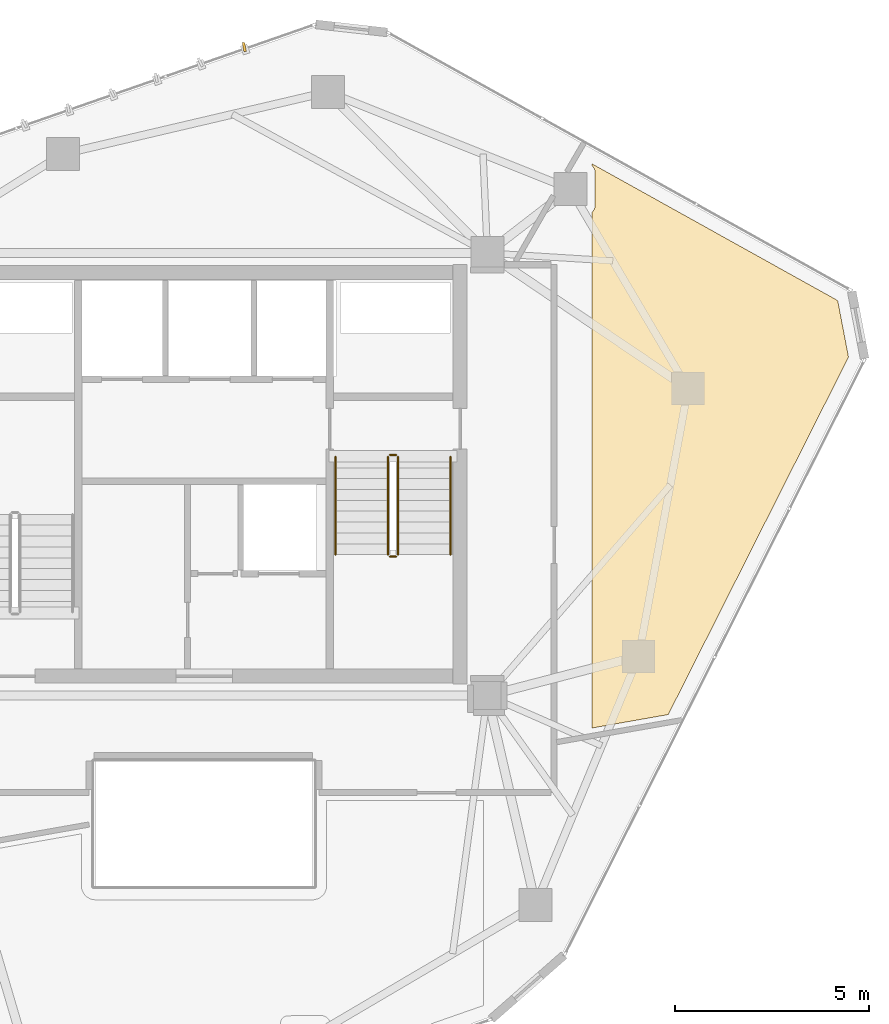
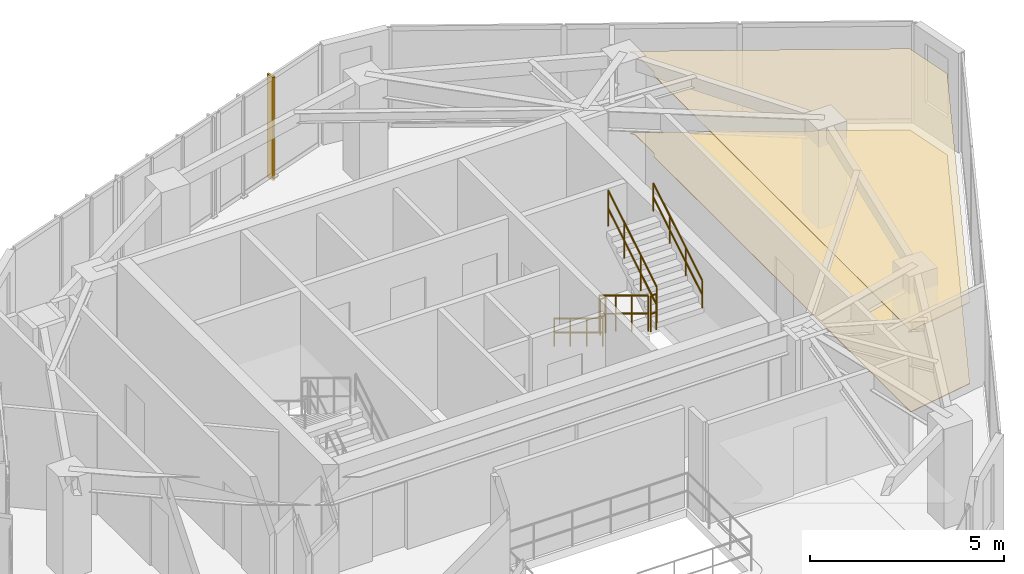
# One storey, part 20 of 20: 6 railings, 2 coverings, 1 shading device.
"""IFC4 building model written with IfcOpenShell, lengths in metres."""

import ifcopenshell
import ifcopenshell.guid

model = None  # the IFC model being written
_history = None  # IfcOwnerHistory: only IFC2X3 demands one
_inside = {}  # id of a spatial element -> (the spatial element, [elements in it])
_under = {}  # id of a project, library or spatial element -> (it, [spatial elements below it])
_declared = {}  # id of a project -> (the project, [libraries it declares])
_typed = {}  # id of a type object -> (the type object, [elements of that type])
_made_of = {}  # id of a material, layer set ... -> (it, [elements and type objects made of it])


def new_model(schema):
    """Start an empty IFC model of exactly this schema.

    Asked for "IFC4X3", IfcOpenShell would pick the latest addendum, in which some entities
    have other attributes; the version numbers below select the first issue.
    IFC2X3 requires an IfcOwnerHistory on every rooted entity: one is made here for all.
    """
    global model, _history
    if schema == "IFC4X3":
        model = ifcopenshell.file(schema_version=(4, 3, 0, 0))
    else:
        model = ifcopenshell.file(schema=schema)
    _inside.clear()
    _under.clear()
    _declared.clear()
    _typed.clear()
    _made_of.clear()
    _history = None
    if model.schema == "IFC2X3":
        org = make("IfcOrganization", Name="unknown")
        user = make(
            "IfcPersonAndOrganization",
            ThePerson=make("IfcPerson", FamilyName="unknown"),
            TheOrganization=org,
        )
        app = make(
            "IfcApplication",
            ApplicationDeveloper=org,
            Version="unknown",
            ApplicationFullName="unknown",
            ApplicationIdentifier="unknown",
        )
        _history = make(
            "IfcOwnerHistory",
            OwningUser=user,
            OwningApplication=app,
            ChangeAction="ADDED",
            CreationDate=0,
        )
    return model


def make(cls, **values):
    """One entity of the class cls with the attributes given. An attribute that is None is left unset."""
    return model.create_entity(
        cls, **{name: value for name, value in values.items() if value is not None}
    )


def rooted(cls, **values):
    """An entity with a GlobalId (a new one), such as an element, a storey or a relation."""
    return make(cls, GlobalId=ifcopenshell.guid.new(), OwnerHistory=_history, **values)


def si_unit(unit_type, name, prefix=None):
    """IfcSIUnit, for example si_unit("LENGTHUNIT", "METRE", prefix="MILLI")."""
    return make("IfcSIUnit", UnitType=unit_type, Prefix=prefix, Name=name)


def assignment(units):
    """IfcUnitAssignment: the units of a project."""
    return None if units is None else make("IfcUnitAssignment", Units=units)


def point(xyz):
    """IfcCartesianPoint."""
    return None if xyz is None else make("IfcCartesianPoint", Coordinates=xyz)


def direction(xyz):
    """IfcDirection."""
    return None if xyz is None else make("IfcDirection", DirectionRatios=xyz)


def frame(location, z_axis=None, x_axis=None):
    """IfcAxis2Placement3D, a coordinate frame: its origin and axes. An axis left out is left unset."""
    return make(
        "IfcAxis2Placement3D",
        Location=point(location),
        Axis=direction(z_axis),
        RefDirection=direction(x_axis),
    )


def frame_2d(location, x_axis=None):
    """IfcAxis2Placement2D, a coordinate frame in the plane: its origin and x axis."""
    return make(
        "IfcAxis2Placement2D", Location=point(location), RefDirection=direction(x_axis)
    )


def origin():
    """The frame at (0, 0, 0) with its axes left unset."""
    return frame((0.0, 0.0, 0.0))


def origin_2d():
    """The frame at (0, 0) in the plane with its x axis left unset."""
    return frame_2d((0.0, 0.0))


def place(relative_to, where):
    """IfcLocalPlacement: puts the frame where relative to a parent placement (None: the world)."""
    return make(
        "IfcLocalPlacement", PlacementRelTo=relative_to, RelativePlacement=where
    )


def context(
    kind, dimensions, precision=None, world=None, true_north=None, identifier=None
):
    """IfcGeometricRepresentationContext, for example the 3D "Model" context."""
    return make(
        "IfcGeometricRepresentationContext",
        ContextIdentifier=identifier,
        ContextType=kind,
        CoordinateSpaceDimension=dimensions,
        Precision=precision,
        WorldCoordinateSystem=world,
        TrueNorth=true_north,
    )


def subcontext(parent, identifier, kind, view, scale=None):
    """IfcGeometricRepresentationSubContext, for example "Body" below "Model"."""
    return make(
        "IfcGeometricRepresentationSubContext",
        ContextIdentifier=identifier,
        ContextType=kind,
        ParentContext=parent,
        TargetScale=scale,
        TargetView=view,
    )


def project(units=None, contexts=None):
    """IfcProject with its units and contexts."""
    return rooted(
        "IfcProject",
        Name="project",
        RepresentationContexts=contexts,
        UnitsInContext=assignment(units),
    )


def spatial(cls, under=None, at=None, **own):
    """A site, building, storey or space (cls), placed at a placement, below another one or the project."""
    s = rooted(cls, ObjectPlacement=at, **own)
    if under is not None:
        _under.setdefault(under.id(), (under, []))[1].append(s)
    return s


def polyline(points):
    """IfcPolyline through the points."""
    return make("IfcPolyline", Points=[point(p) for p in points])


def profile(cls, at=None, kind="AREA", **sizes):
    """A parametric profile (cls). Its sizes go by their IFC names, for example OverallWidth=200.0."""
    return make(cls, ProfileType=kind, Position=at, **sizes)


def rectangle(**sizes):
    """IfcRectangleProfileDef."""
    return profile("IfcRectangleProfileDef", **sizes)


def circle(**sizes):
    """IfcCircleProfileDef."""
    return profile("IfcCircleProfileDef", **sizes)


def outline(outer, holes=None, kind="AREA"):
    """IfcArbitraryClosedProfileDef: a profile drawn as a closed curve; with holes, ...WithVoids."""
    if holes is None:
        return make("IfcArbitraryClosedProfileDef", ProfileType=kind, OuterCurve=outer)
    return make(
        "IfcArbitraryProfileDefWithVoids",
        ProfileType=kind,
        OuterCurve=outer,
        InnerCurves=holes,
    )


def extrude(swept, where, along, depth):
    """IfcExtrudedAreaSolid: the profile swept, set in the frame where, extruded along a direction by depth."""
    return make(
        "IfcExtrudedAreaSolid",
        SweptArea=swept,
        Position=where,
        ExtrudedDirection=direction(along),
        Depth=depth,
    )


def shape(context_of_items, identifier, shape_type, items):
    """IfcShapeRepresentation: the items that make up one representation, for example the "Body"."""
    return make(
        "IfcShapeRepresentation",
        ContextOfItems=context_of_items,
        RepresentationIdentifier=identifier,
        RepresentationType=shape_type,
        Items=items,
    )


def source(mapping_origin, context_of_items, identifier, shape_type, items):
    """IfcRepresentationMap: a shape defined once, which mapped items show again and again."""
    return make(
        "IfcRepresentationMap",
        MappingOrigin=mapping_origin,
        MappedRepresentation=shape(context_of_items, identifier, shape_type, items),
    )


def transform(
    local_origin,
    x_axis=None,
    y_axis=None,
    z_axis=None,
    scale=None,
    scale2=None,
    scale3=None,
    uniform=True,
):
    """IfcCartesianTransformationOperator3D, or its non-uniform kind. x_axis, y_axis, z_axis: its Axis1, 2, 3."""
    if uniform:
        return make(
            "IfcCartesianTransformationOperator3D",
            Axis1=direction(x_axis),
            Axis2=direction(y_axis),
            LocalOrigin=point(local_origin),
            Scale=scale,
            Axis3=direction(z_axis),
        )
    return make(
        "IfcCartesianTransformationOperator3DnonUniform",
        Axis1=direction(x_axis),
        Axis2=direction(y_axis),
        LocalOrigin=point(local_origin),
        Scale=scale,
        Axis3=direction(z_axis),
        Scale2=scale2,
        Scale3=scale3,
    )


def mapped(mapping_source, mapping_target):
    """IfcMappedItem: shows the shape of a source again, moved by a transform."""
    return make(
        "IfcMappedItem", MappingSource=mapping_source, MappingTarget=mapping_target
    )


def material(Name=None, Category=None):
    """IfcMaterial."""
    return make("IfcMaterial", Name=Name, Category=Category)


def layer(
    of_material, thickness, ventilated=None, Name=None, Category=None, Priority=None
):
    """IfcMaterialLayer: one layer of a wall or slab, of a material (None: an air gap)."""
    return make(
        "IfcMaterialLayer",
        Material=of_material,
        LayerThickness=thickness,
        IsVentilated=ventilated,
        Name=Name,
        Category=Category,
        Priority=Priority,
    )


def layer_set(layers, Name=None):
    """IfcMaterialLayerSet."""
    return make("IfcMaterialLayerSet", MaterialLayers=layers, LayerSetName=Name)


def made_of(thing, what):
    """Note that an element or type object is made of a material, layer set ...; save() writes the relation."""
    if what is not None:
        _made_of.setdefault(what.id(), (what, []))[1].append(thing)
    return thing


def type_object(cls, material=None, **own):
    """A type object (cls), such as IfcWallType, which elements share."""
    return made_of(rooted(cls, **own), material)


def type_shapes(of_type, sources):
    """Give a type object the sources (RepresentationMaps) that its elements show as mapped items."""
    of_type.RepresentationMaps = sources


def element(
    cls,
    number,
    at=None,
    inside=None,
    cuts=None,
    type_object=None,
    material=None,
    context=None,
    identifier="Body",
    shape_type=None,
    held_by="IfcProductDefinitionShape",
    body=None,
    shapes=None,
    **own,
):
    """One element of the class cls, such as IfcWall. Its Tag is "e" and its number.

    at: its placement. inside: the storey or other place that contains it. cuts: it is an
    opening in that element (IfcRelVoidsElement). A single representation is given by context,
    identifier, shape_type and body (its items); several are given by shapes. held_by: the class
    of the entity that holds the representations. save() writes the other relations.
    """
    e = rooted(cls, Tag="e%d" % number, ObjectPlacement=at, **own)
    if body is not None:
        shapes = [shape(context, identifier, shape_type, body)]
    if shapes is not None:
        e.Representation = make(held_by, Representations=shapes)
    if inside is not None:
        _inside.setdefault(inside.id(), (inside, []))[1].append(e)
    if cuts is not None:
        rooted(
            "IfcRelVoidsElement", RelatingBuildingElement=cuts, RelatedOpeningElement=e
        )
    if type_object is not None:
        _typed.setdefault(type_object.id(), (type_object, []))[1].append(e)
    return made_of(e, material)


def aggregate(whole, parts):
    """IfcRelAggregates: a whole, such as a stair, and the parts it consists of."""
    return rooted("IfcRelAggregates", RelatingObject=whole, RelatedObjects=parts)


def save(model, path):
    """Write the relations noted so far, then the file.

    IfcRelAggregates (storeys below a building ...), IfcRelContainedInSpatialStructure (elements
    in a storey), IfcRelDefinesByType, IfcRelAssociatesMaterial and IfcRelDeclares: one each for
    every whole, place, type object, material and project.
    """
    for whole, parts in _under.values():
        aggregate(whole, parts)
    for where, things in _inside.values():
        rooted(
            "IfcRelContainedInSpatialStructure",
            RelatedElements=things,
            RelatingStructure=where,
        )
    for kind, things in _typed.values():
        rooted("IfcRelDefinesByType", RelatedObjects=things, RelatingType=kind)
    for what, things in _made_of.values():
        rooted("IfcRelAssociatesMaterial", RelatedObjects=things, RelatingMaterial=what)
    for by, libraries in _declared.values():
        rooted("IfcRelDeclares", RelatingContext=by, RelatedDefinitions=libraries)
    model.write(path)


model = new_model("IFC4")

# Units and contexts
model_context = context("Model", 3, precision=1e-05, world=origin(), true_north=direction((0.0, 1.0)))
body_context = subcontext(model_context, "Body", "Model", "MODEL_VIEW")
ifc_project = project(units=[si_unit("LENGTHUNIT", "METRE"), si_unit("AREAUNIT", "SQUARE_METRE"), si_unit("VOLUMEUNIT", "CUBIC_METRE"), si_unit("PLANEANGLEUNIT", "RADIAN"), si_unit("MASSUNIT", "GRAM", prefix="KILO")], contexts=[model_context])

# Site, building, storey
site_placement = place(None, origin())
site = spatial("IfcSite", under=ifc_project, at=site_placement, CompositionType="ELEMENT")
building_placement = place(site_placement, origin())
building = spatial("IfcBuilding", under=site, at=building_placement, Name="Talar Marvaseh", CompositionType="ELEMENT")
storey_placement = place(building_placement, frame((0.0, 0.0, 285.0)))
storey = spatial("IfcBuildingStorey", under=building, at=storey_placement, Name="L76", CompositionType="ELEMENT", Elevation=285.0)

# Railings
ifc_material_1 = material(Name="Stainless Steel Grade 316", Category="steel")
railing_type_1 = type_object("IfcRailingType", Name="Brushed Stainless Wall Pitch Handrail 900", PredefinedType="HANDRAIL", material=ifc_material_1)
railing_1_placement = place(storey_placement, frame((29.389892578125, 31.64990234375, 0.169921875)))
element("IfcRailing", 1, at=railing_1_placement, inside=storey, type_object=railing_type_1, Name="L76 ST-2 stair handrail 1", PredefinedType="HANDRAIL", context=body_context, shape_type="SweptSolid", body=[
    extrude(circle(Radius=0.02392578125, at=origin_2d()), frame((0.0, 0.0, 0.8759765625), z_axis=(0.0, -0.85478489116, 0.518982456201), x_axis=(1.0, 0.0, 0.0)), (0.0, 0.0, 1.0), 2.9482421875),
    extrude(circle(Radius=0.02392578125, at=origin_2d()), frame((0.0, 0.0, 0.42578125), z_axis=(0.0, -0.85478489116, 0.518982456201), x_axis=(1.0, 0.0, 0.0)), (0.0, 0.0, 1.0), 2.9482421875),
    extrude(circle(Radius=0.02099609375, at=origin_2d()), origin(), (0.0, 0.0, 1.0), 0.851806640625),
    extrude(circle(Radius=0.02099609375, at=origin_2d()), frame((0.0, -0.840087890625, 0.510009765625)), (0.0, 0.0, 1.0), 0.851806640625),
    extrude(circle(Radius=0.02099609375, at=origin_2d()), frame((0.0, -1.679931640625, 1.02001953125)), (0.0, 0.0, 1.0), 0.851806640625),
    extrude(circle(Radius=0.02099609375, at=origin_2d()), frame((0.0, -2.52001953125, 1.530029296875)), (0.0, 0.0, 1.0), 0.851806640625),
])
railing_2_placement = place(storey_placement, frame((32.35009765625, 29.1298828125, 1.8701171875)))
element("IfcRailing", 2, at=railing_2_placement, inside=storey, type_object=railing_type_1, Name="L76 ST-2 stair handrail 2", PredefinedType="HANDRAIL", context=body_context, shape_type="SweptSolid", body=[
    extrude(circle(Radius=0.02392578125, at=origin_2d()), frame((0.0, 0.0, 0.8759765625), z_axis=(0.0, 0.854821627497, 0.518921945155), x_axis=(-1.0, 0.0, 0.0)), (0.0, 0.0, 1.0), 2.947998046875),
    extrude(circle(Radius=0.02392578125, at=origin_2d()), frame((0.0, 0.0, 0.42578125), z_axis=(0.0, 0.854821627497, 0.518921945155), x_axis=(-1.0, 0.0, 0.0)), (0.0, 0.0, 1.0), 2.947998046875),
    extrude(circle(Radius=0.02099609375, at=origin_2d()), origin(), (0.0, 0.0, 1.0), 0.851806640625),
    extrude(circle(Radius=0.02099609375, at=origin_2d()), frame((0.0, 0.840087890625, 0.510009765625)), (0.0, 0.0, 1.0), 0.851806640625),
    extrude(circle(Radius=0.02099609375, at=origin_2d()), frame((0.0, 1.679931640625, 1.019775390625)), (0.0, 0.0, 1.0), 0.851806640625),
    extrude(circle(Radius=0.02099609375, at=origin_2d()), frame((0.0, 2.52001953125, 1.52978515625)), (0.0, 0.0, 1.0), 0.851806640625),
])
railing_type_2 = type_object("IfcRailingType", Name="Painted Steel Core Stair Well Guardrail 1150", PredefinedType="GUARDRAIL", material=ifc_material_1)
railing_3_placement = place(storey_placement, frame((30.739990234375, 31.64990234375, 0.169921875)))
element("IfcRailing", 3, at=railing_3_placement, inside=storey, type_object=railing_type_2, Name="L76 ST-2 stair guard 1", PredefinedType="GUARDRAIL", context=body_context, shape_type="SweptSolid", body=[
    extrude(circle(Radius=0.02392578125, at=origin_2d()), frame((0.0, 0.0, 1.1259765625), z_axis=(0.0, -0.85478489116, 0.518982456201), x_axis=(1.0, 0.0, 0.0)), (0.0, 0.0, 1.0), 2.9482421875),
    extrude(circle(Radius=0.02392578125, at=origin_2d()), frame((0.0, 0.0, 0.55078125), z_axis=(0.0, -0.85478489116, 0.518982456201), x_axis=(1.0, 0.0, 0.0)), (0.0, 0.0, 1.0), 2.9482421875),
    extrude(circle(Radius=0.02099609375, at=origin_2d()), origin(), (0.0, 0.0, 1.0), 1.101806640625),
    extrude(circle(Radius=0.02099609375, at=origin_2d()), frame((0.0, -0.840087890625, 0.510009765625)), (0.0, 0.0, 1.0), 1.101806640625),
    extrude(circle(Radius=0.02099609375, at=origin_2d()), frame((0.0, -1.679931640625, 1.02001953125)), (0.0, 0.0, 1.0), 1.101806640625),
    extrude(circle(Radius=0.02099609375, at=origin_2d()), frame((0.0, -2.52001953125, 1.530029296875)), (0.0, 0.0, 1.0), 1.101806640625),
])
railing_4_placement = place(storey_placement, frame((30.7900390625, 29.080078125, 1.699951171875)))
element("IfcRailing", 4, at=railing_4_placement, inside=storey, type_object=railing_type_2, Name="L76 ST-2 stair guard 2", PredefinedType="GUARDRAIL", context=body_context, shape_type="SweptSolid", body=[
    extrude(circle(Radius=0.02392578125, at=origin_2d()), frame((0.0, 0.0, 1.1259765625), z_axis=(1.0, 0.0, 0.0), x_axis=(0.0, 1.0, 0.0)), (0.0, 0.0, 1.0), 0.159912109375),
    extrude(circle(Radius=0.02392578125, at=origin_2d()), frame((0.0, 0.0, 0.55078125), z_axis=(1.0, 0.0, 0.0), x_axis=(0.0, 1.0, 0.0)), (0.0, 0.0, 1.0), 0.159912109375),
    extrude(circle(Radius=0.02099609375, at=origin_2d()), origin(), (0.0, 0.0, 1.0), 1.101806640625),
    extrude(circle(Radius=0.02099609375, at=origin_2d()), frame((0.159912109375, 0.0, 0.0)), (0.0, 0.0, 1.0), 1.101806640625),
])
railing_5_placement = place(storey_placement, frame((31.0, 29.1298828125, 1.8701171875)))
element("IfcRailing", 5, at=railing_5_placement, inside=storey, type_object=railing_type_2, Name="L76 ST-2 stair guard 3", PredefinedType="GUARDRAIL", context=body_context, shape_type="SweptSolid", body=[
    extrude(circle(Radius=0.02392578125, at=origin_2d()), frame((0.0, 0.0, 1.1259765625), z_axis=(0.0, 0.854821627497, 0.518921945155), x_axis=(-1.0, 0.0, 0.0)), (0.0, 0.0, 1.0), 2.947998046875),
    extrude(circle(Radius=0.02392578125, at=origin_2d()), frame((0.0, 0.0, 0.55078125), z_axis=(0.0, 0.854821627497, 0.518921945155), x_axis=(-1.0, 0.0, 0.0)), (0.0, 0.0, 1.0), 2.947998046875),
    extrude(circle(Radius=0.02099609375, at=origin_2d()), origin(), (0.0, 0.0, 1.0), 1.101806640625),
    extrude(circle(Radius=0.02099609375, at=origin_2d()), frame((0.0, 0.840087890625, 0.510009765625)), (0.0, 0.0, 1.0), 1.101806640625),
    extrude(circle(Radius=0.02099609375, at=origin_2d()), frame((0.0, 1.679931640625, 1.019775390625)), (0.0, 0.0, 1.0), 1.101806640625),
    extrude(circle(Radius=0.02099609375, at=origin_2d()), frame((0.0, 2.52001953125, 1.52978515625)), (0.0, 0.0, 1.0), 1.101806640625),
])
railing_6_placement = place(storey_placement, frame((30.7900390625, 31.699951171875, 0.0)))
element("IfcRailing", 6, at=railing_6_placement, inside=storey, type_object=railing_type_2, Name="L76 ST-2 stair guard 4", PredefinedType="GUARDRAIL", context=body_context, shape_type="SweptSolid", body=[
    extrude(circle(Radius=0.02392578125, at=origin_2d()), frame((0.0, 0.0, 1.1259765625), z_axis=(1.0, 0.0, 0.0), x_axis=(0.0, 1.0, 0.0)), (0.0, 0.0, 1.0), 0.159912109375),
    extrude(circle(Radius=0.02392578125, at=origin_2d()), frame((0.0, 0.0, 0.55078125), z_axis=(1.0, 0.0, 0.0), x_axis=(0.0, 1.0, 0.0)), (0.0, 0.0, 1.0), 0.159912109375),
    extrude(circle(Radius=0.02099609375, at=origin_2d()), origin(), (0.0, 0.0, 1.0), 1.101806640625),
    extrude(circle(Radius=0.02099609375, at=origin_2d()), frame((0.159912109375, 0.0, 0.0)), (0.0, 0.0, 1.0), 1.101806640625),
])

# Coverings
ifc_material_2 = material(Name="Mineral Fibre Acoustic Ceiling")
ifc_layer_1 = layer(ifc_material_2, 0.02490234375)
ifc_layer_set_1 = layer_set([ifc_layer_1], Name="Mineral Fibre Acoustic Ceiling")
covering_type_1 = type_object("IfcCoveringType", Name="Perforated Mineral Fibre Acoustic Suspended Ceiling", PredefinedType="CEILING", material=ifc_layer_set_1)
covering_1_placement = place(storey_placement, frame((0.0, 0.0, 2.56005859375)))
element("IfcCovering", 7, at=covering_1_placement, inside=storey, type_object=covering_type_1, Name="L76 Collection Conservation Store Acoustic Ceiling", PredefinedType="CEILING", context=body_context, shape_type="SweptSolid", body=[
    extrude(outline(polyline([(36.0224609375, 37.982666015625), (36.03466796875, 37.996826171875), (36.04541015625, 38.01220703125), (36.0546875, 38.028564453125), (36.062255859375, 38.045654296875), (36.068359375, 38.0634765625), (36.07275390625, 38.081787109375), (36.0751953125, 38.100341796875), (36.076171875, 38.119140625), (36.075439453125, 38.984619140625), (36.074462890625, 39.00390625), (36.071533203125, 39.0234375), (36.06689453125, 39.04248046875), (36.060302734375, 39.060791015625), (36.052001953125, 39.07861328125), (36.041748046875, 39.095458984375), (36.0302734375, 39.111083984375), (36.01708984375, 39.12548828125), (36.00244140625, 39.138916015625), (36.0, 39.140625), (36.0, 39.197265625), (42.324951171875, 35.677490234375), (42.603515625, 34.22021484375), (37.96044921875, 25.01220703125), (36.0, 24.66650390625), (36.0, 37.962158203125), (36.009033203125, 37.969482421875), (36.0224609375, 37.982666015625)])), origin(), (0.0, 0.0, 1.0), 0.02490234375),
])
ifc_material_3 = material(Name="Porcelain Stoneware Tile", Category="masonry")
ifc_layer_2 = layer(ifc_material_3, 0.02001953125)
ifc_layer_set_2 = layer_set([ifc_layer_2], Name="Porcelain Stoneware Tile")
covering_type_2 = type_object("IfcCoveringType", Name="Polished Porcelain Stoneware Gallery Flooring", PredefinedType="FLOORING", material=ifc_layer_set_2)
covering_2_placement = place(storey_placement, origin())
element("IfcCovering", 8, at=covering_2_placement, inside=storey, type_object=covering_type_2, Name="L76 Collection Conservation Store Flooring", PredefinedType="FLOORING", context=body_context, shape_type="SweptSolid", body=[
    extrude(outline(polyline([(36.0224609375, 37.982666015625), (36.03466796875, 37.996826171875), (36.04541015625, 38.01220703125), (36.0546875, 38.028564453125), (36.062255859375, 38.045654296875), (36.068359375, 38.0634765625), (36.07275390625, 38.081787109375), (36.0751953125, 38.100341796875), (36.076171875, 38.119140625), (36.075439453125, 38.984619140625), (36.074462890625, 39.00390625), (36.071533203125, 39.0234375), (36.06689453125, 39.04248046875), (36.060302734375, 39.060791015625), (36.052001953125, 39.07861328125), (36.041748046875, 39.095458984375), (36.0302734375, 39.111083984375), (36.01708984375, 39.12548828125), (36.00244140625, 39.138916015625), (36.0, 39.140625), (36.0, 39.197265625), (42.324951171875, 35.677490234375), (42.603515625, 34.22021484375), (37.96044921875, 25.01220703125), (36.0, 24.66650390625), (36.0, 37.962158203125), (36.009033203125, 37.969482421875), (36.0224609375, 37.982666015625)])), origin(), (0.0, 0.0, 1.0), 0.02001953125),
])

# Shading device
ifc_material_4 = material(Name="Anodised Champagne Bronze Aluminium", Category="aluminium")
ifc_layer_3 = layer(ifc_material_4, 0.06494140625)
ifc_layer_set_3 = layer_set([ifc_layer_3], Name="Anodised Champagne Bronze Aluminium")
shading_device_type = type_object("IfcShadingDeviceType", Name="Sawtooth Champagne Bronze Vertical Fin 240", PredefinedType="USERDEFINED", material=ifc_layer_set_3)
shared_shape = source(origin(), body_context, "Body", "SweptSolid", [
    extrude(rectangle(XDim=0.239990234375, YDim=0.06494140625, at=origin_2d()), origin(), (0.0, 0.0, 1.0), 3.260009765625),
])
type_shapes(shading_device_type, [shared_shape])
shading_device_placement = place(storey_placement, frame((27.0380859375, 42.20751953125, -0.1201171875), z_axis=(0.0, 0.0, 1.0), x_axis=(-0.193891921448, 0.981022896164, 0.0)))
element("IfcShadingDevice", 9, at=shading_device_placement, inside=storey, type_object=shading_device_type, Name="L76 Sawtooth Vertical Solar Fin", ObjectType="FIN", PredefinedType="USERDEFINED", context=body_context, shape_type="MappedRepresentation", body=[
    mapped(shared_shape, transform((0.0, 0.0, 0.0), x_axis=(1.0, 0.0, 0.0), y_axis=(0.0, 1.0, 0.0), z_axis=(0.0, 0.0, 1.0), scale=1.0)),
])

save(model, "model.ifc")
